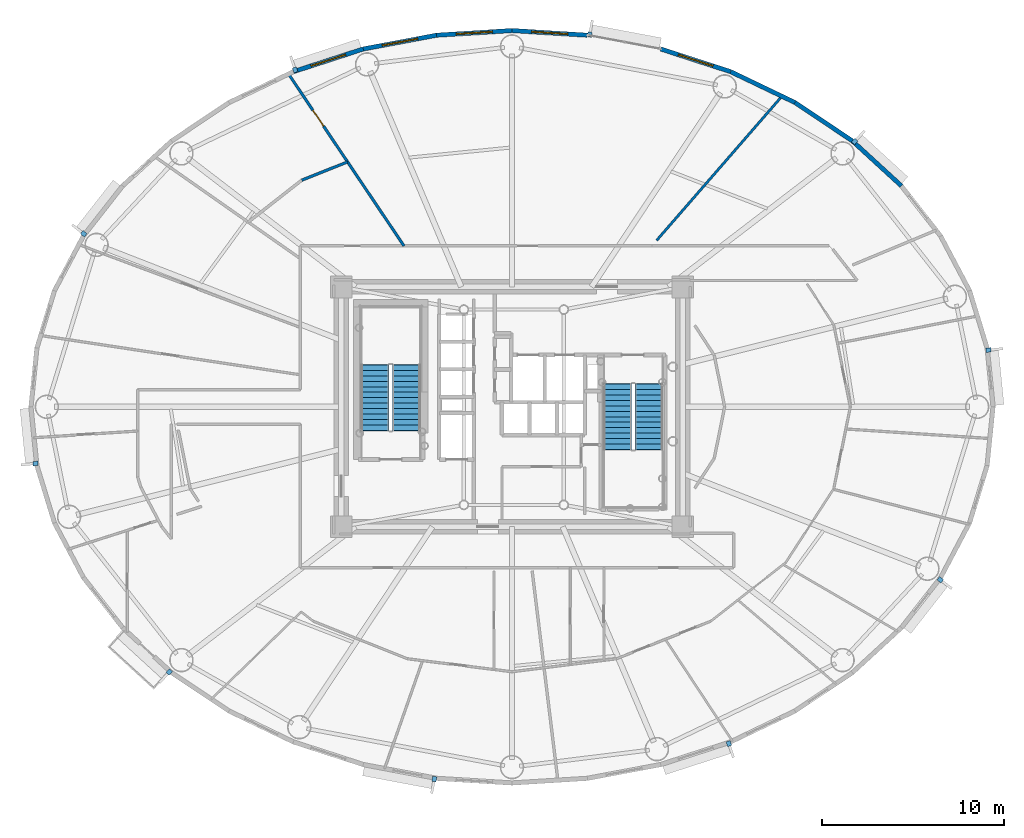
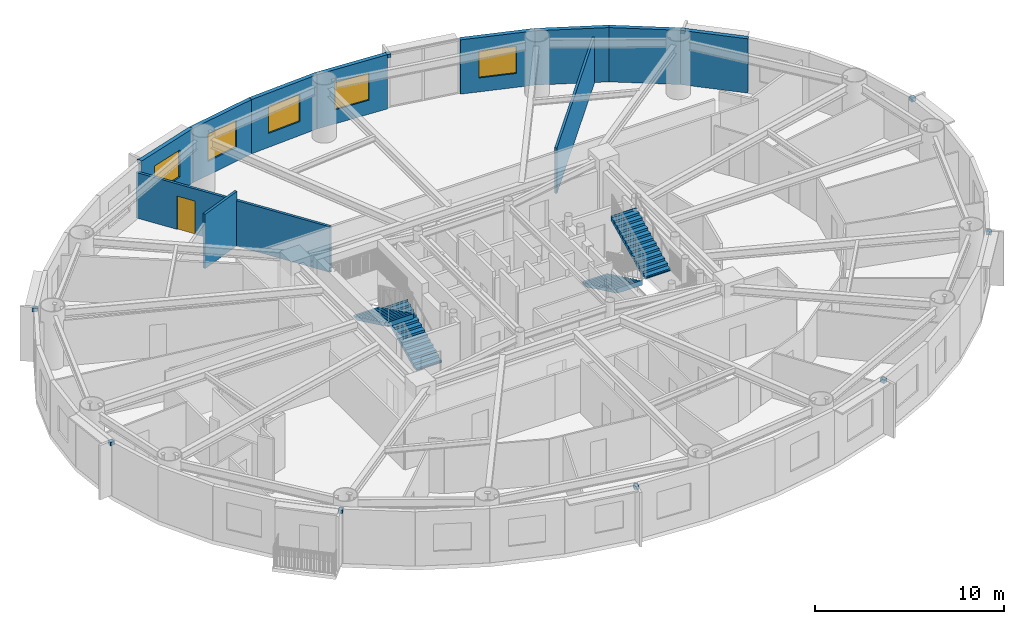
# One storey, part 12 of 18: 11 walls, 10 discrete accessories, 5 windows, 4 stair flights, 1 door, 6 openings, 2 elements without a shape of their own.
"""IFC4 building model written with IfcOpenShell, lengths in metres."""

from ifc_helpers import new_model, si_unit, direction, frame, frame_2d, origin, origin_2d, place, context, subcontext, project, spatial, polyline, rectangle, outline, extrude, source, transform, mapped, material, layer, layer_set, type_object, element, fill, aggregate, save


model = new_model("IFC4")

# Units and contexts
model_context = context("Model", 3, precision=1e-05, world=origin(), true_north=direction((0.0, 1.0)))
body_context = subcontext(model_context, "Body", "Model", "MODEL_VIEW")
ifc_project = project(units=[si_unit("LENGTHUNIT", "METRE"), si_unit("AREAUNIT", "SQUARE_METRE"), si_unit("VOLUMEUNIT", "CUBIC_METRE"), si_unit("PLANEANGLEUNIT", "RADIAN"), si_unit("MASSUNIT", "GRAM", prefix="KILO")], contexts=[model_context])

# Site, building, storey
site_placement = place(None, origin())
site = spatial("IfcSite", under=ifc_project, at=site_placement, CompositionType="ELEMENT")
building_placement = place(site_placement, origin())
building = spatial("IfcBuilding", under=site, at=building_placement, Name="Linh Dai School and Residence Tower", CompositionType="ELEMENT")
storey_placement = place(building_placement, frame((0.0, 0.0, 167.39990234375)))
storey = spatial("IfcBuildingStorey", under=building, at=storey_placement, Name="L40", CompositionType="ELEMENT", Elevation=167.39990234375)

# Walls
ifc_material_1 = material(Name="Precast Concrete B45 (C35/45)", Category="concrete")
ifc_layer_1 = layer(ifc_material_1, 0.239990234375)
ifc_layer_set_1 = layer_set([ifc_layer_1], Name="Precast Concrete B45 (C35/45)")
wall_type_1 = type_object("IfcWallType", Name="EW-TC-240", PredefinedType="SOLIDWALL", material=ifc_layer_set_1)
wall_1_placement = place(storey_placement, frame((54.73193359375, 41.630615234375, 0.0), z_axis=(0.0, 0.0, 1.0), x_axis=(0.737076565834, -0.675809245349, 0.0)))
element("IfcWall", 1, at=wall_1_placement, inside=storey, type_object=wall_type_1, Name="L40 Terracotta Exterior Wall 05", PredefinedType="SOLIDWALL", context=body_context, shape_type="SweptSolid", body=[
    extrude(rectangle(XDim=3.658203125, YDim=0.239990234375, at=frame_2d((1.8291015625, 0.0))), origin(), (0.0, 0.0, 1.0), 3.5),
])
wall_2_placement = place(storey_placement, frame((51.5732421875, 43.7431640625, 0.0), z_axis=(0.0, 0.0, 1.0), x_axis=(0.831228998277, -0.555930168657, 0.0)))
element("IfcWall", 2, at=wall_2_placement, inside=storey, type_object=wall_type_1, Name="L40 Terracotta Exterior Wall 06", PredefinedType="SOLIDWALL", context=body_context, shape_type="SweptSolid", body=[
    extrude(rectangle(XDim=3.800048828125, YDim=0.239990234375, at=frame_2d((1.89990234375, 0.0))), origin(), (0.0, 0.0, 1.0), 3.5),
])
wall_3_placement = place(storey_placement, frame((48.02978515625, 45.443603515625, 0.0), z_axis=(0.0, 0.0, 1.0), x_axis=(0.901564733809, -0.432644231155, 0.0)))
element("IfcWall", 3, at=wall_3_placement, inside=storey, type_object=wall_type_1, Name="L40 Terracotta Exterior Wall 07", PredefinedType="SOLIDWALL", context=body_context, shape_type="SweptSolid", body=[
    extrude(rectangle(XDim=3.930419921875, YDim=0.239990234375, at=frame_2d((1.96533203125, 0.0))), origin(), (0.0, 0.0, 1.0), 3.5),
])

# Wall, opening, window
wall_4_placement = place(storey_placement, frame((44.18896484375, 46.689453125, 0.0), z_axis=(0.0, 0.0, 1.0), x_axis=(0.951209870236, -0.30854462038, 0.0)))
wall_4 = element("IfcWall", 4, at=wall_4_placement, inside=storey, type_object=wall_type_1, Name="L40 Terracotta Exterior Wall 08", PredefinedType="SOLIDWALL", context=body_context, shape_type="SweptSolid", body=[
    extrude(rectangle(XDim=4.037841796875, YDim=0.239990234375, at=frame_2d((2.01904296875, 0.0))), origin(), (0.0, 0.0, 1.0), 3.5),
])
opening_1_placement = place(wall_4_placement, frame((1.018798828125, 0.0, 0.89990234375)))
opening_1 = element("IfcOpeningElement", 5, at=opening_1_placement, cuts=wall_4, Name="Opening W1", PredefinedType="OPENING", context=body_context, shape_type="SweptSolid", body=[
    extrude(rectangle(XDim=2.0, YDim=1.75, at=origin_2d()), frame((1.0, 0.1298828125, 0.875), z_axis=(0.0, -1.0, 0.0), x_axis=(1.0, 0.0, 0.0)), (0.0, 0.0, 1.0), 0.260009765625),
])
ifc_material_2 = material(Name="Double Low-E Insulated Glazing", Category="glass")
window_type = type_object("IfcWindowType", Name="WN-RES-2000x1750", PartitioningType="DOUBLE_PANEL_VERTICAL", PredefinedType="WINDOW", material=ifc_material_2)
shared_shape_1 = source(origin(), body_context, "Body", "SweptSolid", [
    extrude(rectangle(XDim=2.0, YDim=1.75, at=origin_2d()), frame((1.0, 0.030029296875, 0.875), z_axis=(0.0, -1.0, 0.0), x_axis=(1.0, 0.0, 0.0)), (0.0, 0.0, 1.0), 0.06005859375),
])
window_1_placement = place(opening_1_placement, origin())
window_1 = element("IfcWindow", 6, at=window_1_placement, inside=storey, type_object=window_type, Name="L40 Exterior Window 08.1", OverallHeight=1.75, OverallWidth=2.0, PartitioningType="DOUBLE_PANEL_VERTICAL", PredefinedType="WINDOW", context=body_context, shape_type="MappedRepresentation", body=[
    mapped(shared_shape_1, transform((0.0, 0.0, 0.0), x_axis=(1.0, 0.0, 0.0), y_axis=(0.0, 1.0, 0.0), z_axis=(0.0, 0.0, 1.0), scale=1.0)),
])
fill(opening_1, window_1)

wall_5_placement = place(storey_placement, frame((36.0, 47.705078125, 0.0), z_axis=(0.0, 0.0, 1.0), x_axis=(0.998104600619, -0.061540281305, 0.0)))
wall_5 = element("IfcWall", 7, at=wall_5_placement, inside=storey, type_object=wall_type_1, Name="L40 Terracotta Exterior Wall 10", PredefinedType="SOLIDWALL", context=body_context, shape_type="SweptSolid", body=[
    extrude(rectangle(XDim=4.153564453125, YDim=0.239990234375, at=frame_2d((2.07666015625, 0.0))), origin(), (0.0, 0.0, 1.0), 3.5),
])
opening_2_placement = place(wall_5_placement, frame((1.076904296875, 0.0, 0.89990234375)))
opening_2 = element("IfcOpeningElement", 8, at=opening_2_placement, cuts=wall_5, Name="Opening W1", PredefinedType="OPENING", context=body_context, shape_type="SweptSolid", body=[
    extrude(rectangle(XDim=2.0, YDim=1.75, at=origin_2d()), frame((1.0, 0.1298828125, 0.875), z_axis=(0.0, -1.0, 0.0), x_axis=(1.0, 0.0, 0.0)), (0.0, 0.0, 1.0), 0.260009765625),
])
window_2_placement = place(opening_2_placement, origin())
window_2 = element("IfcWindow", 9, at=window_2_placement, inside=storey, type_object=window_type, Name="L40 Exterior Window 10.1", OverallHeight=1.75, OverallWidth=2.0, PartitioningType="DOUBLE_PANEL_VERTICAL", PredefinedType="WINDOW", context=body_context, shape_type="MappedRepresentation", body=[
    mapped(shared_shape_1, transform((0.0, 0.0, 0.0), x_axis=(1.0, 0.0, 0.0), y_axis=(0.0, 1.0, 0.0), z_axis=(0.0, 0.0, 1.0), scale=1.0)),
])
fill(opening_2, window_2)

wall_6_placement = place(storey_placement, frame((31.854248046875, 47.449462890625, 0.0), z_axis=(0.0, 0.0, 1.0), x_axis=(0.998104600619, 0.061540281305, 0.0)))
wall_6 = element("IfcWall", 10, at=wall_6_placement, inside=storey, type_object=wall_type_1, Name="L40 Terracotta Exterior Wall 11", PredefinedType="SOLIDWALL", context=body_context, shape_type="SweptSolid", body=[
    extrude(rectangle(XDim=4.153564453125, YDim=0.239990234375, at=frame_2d((2.07666015625, 0.0))), origin(), (0.0, 0.0, 1.0), 3.5),
])
opening_3_placement = place(wall_6_placement, frame((1.076904296875, 0.0, 0.89990234375)))
opening_3 = element("IfcOpeningElement", 11, at=opening_3_placement, cuts=wall_6, Name="Opening W1", PredefinedType="OPENING", context=body_context, shape_type="SweptSolid", body=[
    extrude(rectangle(XDim=2.0, YDim=1.75, at=origin_2d()), frame((1.0, 0.1298828125, 0.875), z_axis=(0.0, -1.0, 0.0), x_axis=(1.0, 0.0, 0.0)), (0.0, 0.0, 1.0), 0.260009765625),
])
window_3_placement = place(opening_3_placement, origin())
window_3 = element("IfcWindow", 12, at=window_3_placement, inside=storey, type_object=window_type, Name="L40 Exterior Window 11.1", OverallHeight=1.75, OverallWidth=2.0, PartitioningType="DOUBLE_PANEL_VERTICAL", PredefinedType="WINDOW", context=body_context, shape_type="MappedRepresentation", body=[
    mapped(shared_shape_1, transform((0.0, 0.0, 0.0), x_axis=(1.0, 0.0, 0.0), y_axis=(0.0, 1.0, 0.0), z_axis=(0.0, 0.0, 1.0), scale=1.0)),
])
fill(opening_3, window_3)

wall_7_placement = place(storey_placement, frame((27.81103515625, 46.689453125, 0.0), z_axis=(0.0, 0.0, 1.0), x_axis=(0.982788108205, 0.184736391573, 0.0)))
wall_7 = element("IfcWall", 13, at=wall_7_placement, inside=storey, type_object=wall_type_1, Name="L40 Terracotta Exterior Wall 12", PredefinedType="SOLIDWALL", context=body_context, shape_type="SweptSolid", body=[
    extrude(rectangle(XDim=4.114013671875, YDim=0.239990234375, at=frame_2d((2.05712890625, 0.0))), origin(), (0.0, 0.0, 1.0), 3.5),
])
opening_4_placement = place(wall_7_placement, frame((1.05712890625, 0.0, 0.89990234375)))
opening_4 = element("IfcOpeningElement", 14, at=opening_4_placement, cuts=wall_7, Name="Opening W1", PredefinedType="OPENING", context=body_context, shape_type="SweptSolid", body=[
    extrude(rectangle(XDim=2.0, YDim=1.75, at=origin_2d()), frame((1.0, 0.1298828125, 0.875), z_axis=(0.0, -1.0, 0.0), x_axis=(1.0, 0.0, 0.0)), (0.0, 0.0, 1.0), 0.260009765625),
])
window_4_placement = place(opening_4_placement, origin())
window_4 = element("IfcWindow", 15, at=window_4_placement, inside=storey, type_object=window_type, Name="L40 Exterior Window 12.1", OverallHeight=1.75, OverallWidth=2.0, PartitioningType="DOUBLE_PANEL_VERTICAL", PredefinedType="WINDOW", context=body_context, shape_type="MappedRepresentation", body=[
    mapped(shared_shape_1, transform((0.0, 0.0, 0.0), x_axis=(1.0, 0.0, 0.0), y_axis=(0.0, 1.0, 0.0), z_axis=(0.0, 0.0, 1.0), scale=1.0)),
])
fill(opening_4, window_4)

wall_8_placement = place(storey_placement, frame((23.97021484375, 45.443603515625, 0.0), z_axis=(0.0, 0.0, 1.0), x_axis=(0.951209870236, 0.30854462038, 0.0)))
wall_8 = element("IfcWall", 16, at=wall_8_placement, inside=storey, type_object=wall_type_1, Name="L40 Terracotta Exterior Wall 13", PredefinedType="SOLIDWALL", context=body_context, shape_type="SweptSolid", body=[
    extrude(rectangle(XDim=4.037841796875, YDim=0.239990234375, at=frame_2d((2.01904296875, 0.0))), origin(), (0.0, 0.0, 1.0), 3.5),
])
opening_5_placement = place(wall_8_placement, frame((1.01904296875, 0.0, 0.89990234375)))
opening_5 = element("IfcOpeningElement", 17, at=opening_5_placement, cuts=wall_8, Name="Opening W1", PredefinedType="OPENING", context=body_context, shape_type="SweptSolid", body=[
    extrude(rectangle(XDim=2.0, YDim=1.75, at=origin_2d()), frame((1.0, 0.1298828125, 0.875), z_axis=(0.0, -1.0, 0.0), x_axis=(1.0, 0.0, 0.0)), (0.0, 0.0, 1.0), 0.260009765625),
])
window_5_placement = place(opening_5_placement, origin())
window_5 = element("IfcWindow", 18, at=window_5_placement, inside=storey, type_object=window_type, Name="L40 Exterior Window 13.1", OverallHeight=1.75, OverallWidth=2.0, PartitioningType="DOUBLE_PANEL_VERTICAL", PredefinedType="WINDOW", context=body_context, shape_type="MappedRepresentation", body=[
    mapped(shared_shape_1, transform((0.0, 0.0, 0.0), x_axis=(1.0, 0.0, 0.0), y_axis=(0.0, 1.0, 0.0), z_axis=(0.0, 0.0, 1.0), scale=1.0)),
])
fill(opening_5, window_5)

# Wall
ifc_material_3 = material(Name="Autoclaved Aerated Concrete Blockwork", Category="masonry")
ifc_layer_2 = layer(ifc_material_3, 0.135009765625)
ifc_layer_set_2 = layer_set([ifc_layer_2], Name="Autoclaved Aerated Concrete Blockwork")
wall_type_2 = type_object("IfcWallType", Name="IW-CORR-135-EI90", PredefinedType="PARTITIONING", material=ifc_layer_set_2)
wall_9_placement = place(storey_placement, frame((50.85791015625, 44.092041015625, 0.0), z_axis=(0.0, 0.0, 1.0), x_axis=(-0.656061423317, -0.75470749886, 0.0)))
element("IfcWall", 19, at=wall_9_placement, inside=storey, type_object=wall_type_2, Name="L40 Interior Partition Wall 096", PredefinedType="PARTITIONING", context=body_context, shape_type="SweptSolid", body=[
    extrude(rectangle(XDim=10.513427734375, YDim=0.135009765625, at=frame_2d((5.2568359375, 0.0))), origin(), (0.0, 0.0, 1.0), 2.93505859375),
])

# Wall, opening, door
ifc_layer_3 = layer(ifc_material_3, 0.14990234375)
ifc_layer_set_3 = layer_set([ifc_layer_3], Name="Autoclaved Aerated Concrete Blockwork")
wall_type_3 = type_object("IfcWallType", Name="IW-SCH-150-EI60", PredefinedType="PARTITIONING", material=ifc_layer_set_3)
wall_10_placement = place(storey_placement, frame((23.69921875, 45.319091796875, 0.0), z_axis=(0.0, 0.0, 1.0), x_axis=(0.557458426319, -0.830204856, 0.0)))
wall_10 = element("IfcWall", 20, at=wall_10_placement, inside=storey, type_object=wall_type_3, Name="L40 Interior Partition Wall 016", PredefinedType="PARTITIONING", context=body_context, shape_type="SweptSolid", body=[
    extrude(rectangle(XDim=11.405517578125, YDim=0.14990234375, at=frame_2d((5.70263671875, 0.0))), origin(), (0.0, 0.0, 1.0), 2.93505859375),
])
opening_6_placement = place(wall_10_placement, frame((2.41162109375, 0.0, 0.0)))
opening_6 = element("IfcOpeningElement", 21, at=opening_6_placement, cuts=wall_10, Name="Opening D04", PredefinedType="OPENING", context=body_context, shape_type="SweptSolid", body=[
    extrude(rectangle(XDim=1.050048828125, YDim=2.14990234375, at=origin_2d()), frame((0.52490234375, 0.0849609375, 1.074951171875), z_axis=(0.0, -1.0, 0.0), x_axis=(1.0, 0.0, 0.0)), (0.0, 0.0, 1.0), 0.169921875),
])
ifc_material_4 = material(Name="Acoustic Vision-Panel Timber Classroom Door", Category="wood")
door_type = type_object("IfcDoorType", Name="DR-SCH-1050x2150-FD60S", OperationType="NOTDEFINED", PredefinedType="DOOR", material=ifc_material_4)
shared_shape_2 = source(origin(), body_context, "Body", "SweptSolid", [
    extrude(rectangle(XDim=1.050048828125, YDim=2.14990234375, at=origin_2d()), frame((0.52490234375, 0.02490234375, 1.074951171875), z_axis=(0.0, -1.0, 0.0), x_axis=(1.0, 0.0, 0.0)), (0.0, 0.0, 1.0), 0.050048828125),
])
door_placement = place(opening_6_placement, origin())
door = element("IfcDoor", 22, at=door_placement, inside=storey, type_object=door_type, Name="L40 Amenity Tea Salon Door", OperationType="SINGLE_SWING_RIGHT", OverallHeight=2.14990234375, OverallWidth=1.050048828125, PredefinedType="DOOR", context=body_context, shape_type="MappedRepresentation", body=[
    mapped(shared_shape_2, transform((0.0, 0.0, 0.0), x_axis=(1.0, 0.0, 0.0), y_axis=(0.0, 1.0, 0.0), z_axis=(0.0, 0.0, 1.0), scale=1.0)),
])
fill(opening_6, door)

# Wall
wall_11_placement = place(storey_placement, frame((24.429931640625, 39.470458984375, 0.0), z_axis=(0.0, 0.0, 1.0), x_axis=(0.928811262565, 0.370553152103, 0.0)))
element("IfcWall", 23, at=wall_11_placement, inside=storey, type_object=wall_type_3, Name="L40 Interior Partition Wall 022", PredefinedType="PARTITIONING", context=body_context, shape_type="SweptSolid", body=[
    extrude(rectangle(XDim=2.714599609375, YDim=0.14990234375, at=frame_2d((1.357421875, 0.0))), origin(), (0.0, 0.0, 1.0), 3.5),
])

# Stair, stair flights
ifc_material_5 = material(Name="Concrete B45 (C35/45)", Category="concrete")
stair_type = type_object("IfcStairType", Name="ST-DOG-1550-R1442", PredefinedType="HALF_TURN_STAIR", material=ifc_material_5)
stair_1_placement = place(storey_placement, origin())
stair_1 = element("IfcStair", 24, at=stair_1_placement, inside=storey, type_object=stair_type, Name="L40 Core Smokeproof Exit Stair ST1", PredefinedType="HALF_TURN_STAIR")
stair_flight_type = type_object("IfcStairFlightType", Name="STF-STR-1550-R1442", PredefinedType="STRAIGHT", material=ifc_material_5)
shared_shape_3 = source(origin(), body_context, "Body", "SweptSolid", [
    extrude(outline(polyline([(-0.02490234375, 0.0), (-0.02490234375, 0.06005859375), (0.0, 0.06005859375), (0.0, 0.144287109375), (0.300048828125, 0.144287109375), (0.300048828125, 0.28857421875), (0.60009765625, 0.28857421875), (0.60009765625, 0.4326171875), (0.89990234375, 0.4326171875), (0.89990234375, 0.576904296875), (1.199951171875, 0.576904296875), (1.199951171875, 0.72119140625), (1.5, 0.72119140625), (1.5, 0.865478515625), (1.800048828125, 0.865478515625), (1.800048828125, 1.009521484375), (2.10009765625, 1.009521484375), (2.10009765625, 1.15380859375), (2.39990234375, 1.15380859375), (2.39990234375, 1.298095703125), (2.699951171875, 1.298095703125), (2.699951171875, 1.4423828125), (3.0, 1.4423828125), (3.0, 1.58642578125), (3.300048828125, 1.58642578125), (3.300048828125, 1.730712890625), (3.60009765625, 1.730712890625), (3.60009765625, 1.875), (3.625, 1.875), (3.625, 1.564453125), (3.60009765625, 1.564453125), (0.345947265625, 0.0), (-0.02490234375, 0.0)])), frame((0.0, 0.77490234375, 0.0), z_axis=(0.0, -1.0, 0.0), x_axis=(1.0, 0.0, 0.0)), (0.0, 0.0, 1.0), 1.550048828125),
])
stair_flight_1_placement = place(storey_placement, frame((30.205078125, 25.699951171875, 0.0), z_axis=(0.0, 0.0, 1.0), x_axis=(0.0, 1.0, 0.0)))
stair_flight_1 = element("IfcStairFlight", 25, at=stair_flight_1_placement, type_object=stair_flight_type, Name="ST1 flight 1", NumberOfRisers=13, NumberOfTreads=12, PredefinedType="STRAIGHT", RiserHeight=0.144230769, TreadLength=0.3, context=body_context, shape_type="MappedRepresentation", body=[
    mapped(shared_shape_3, transform((0.0, 0.0, 0.0), x_axis=(1.0, 0.0, 0.0), y_axis=(0.0, 1.0, 0.0), z_axis=(0.0, 0.0, 1.0), scale=1.0)),
])
stair_flight_2_placement = place(storey_placement, frame((28.455078125, 29.300048828125, 1.875), z_axis=(0.0, 0.0, 1.0), x_axis=(0.0, -1.0, 0.0)))
stair_flight_2 = element("IfcStairFlight", 26, at=stair_flight_2_placement, type_object=stair_flight_type, Name="ST1 flight 2", NumberOfRisers=13, NumberOfTreads=12, PredefinedType="STRAIGHT", RiserHeight=0.144230769, TreadLength=0.3, context=body_context, shape_type="MappedRepresentation", body=[
    mapped(shared_shape_3, transform((0.0, 0.0, 0.0), x_axis=(1.0, 0.0, 0.0), y_axis=(0.0, 1.0, 0.0), z_axis=(0.0, 0.0, 1.0), scale=1.0)),
])
aggregate(stair_1, [stair_flight_1, stair_flight_2])

stair_2_placement = place(storey_placement, origin())
stair_2 = element("IfcStair", 27, at=stair_2_placement, inside=storey, type_object=stair_type, Name="L40 Core Smokeproof Exit Stair ST2", PredefinedType="HALF_TURN_STAIR")
stair_flight_3_placement = place(storey_placement, frame((41.794921875, 28.25, 0.0), z_axis=(0.0, 0.0, 1.0), x_axis=(0.0, -1.0, 0.0)))
stair_flight_3 = element("IfcStairFlight", 28, at=stair_flight_3_placement, type_object=stair_flight_type, Name="ST2 flight 1", NumberOfRisers=13, NumberOfTreads=12, PredefinedType="STRAIGHT", RiserHeight=0.144230769, TreadLength=0.3, context=body_context, shape_type="MappedRepresentation", body=[
    mapped(shared_shape_3, transform((0.0, 0.0, 0.0), x_axis=(1.0, 0.0, 0.0), y_axis=(0.0, 1.0, 0.0), z_axis=(0.0, 0.0, 1.0), scale=1.0)),
])
stair_flight_4_placement = place(storey_placement, frame((43.544921875, 24.64990234375, 1.875), z_axis=(0.0, 0.0, 1.0), x_axis=(0.0, 1.0, 0.0)))
stair_flight_4 = element("IfcStairFlight", 29, at=stair_flight_4_placement, type_object=stair_flight_type, Name="ST2 flight 2", NumberOfRisers=13, NumberOfTreads=12, PredefinedType="STRAIGHT", RiserHeight=0.144230769, TreadLength=0.3, context=body_context, shape_type="MappedRepresentation", body=[
    mapped(shared_shape_3, transform((0.0, 0.0, 0.0), x_axis=(1.0, 0.0, 0.0), y_axis=(0.0, 1.0, 0.0), z_axis=(0.0, 0.0, 1.0), scale=1.0)),
])
aggregate(stair_2, [stair_flight_3, stair_flight_4])

# Discrete accessories
ifc_material_6 = material(Name="Structural Steel S355JR", Category="steel")
discrete_accessory_type = type_object("IfcDiscreteAccessoryType", Name="ACC-BRK-S355", PredefinedType="BRACKET", material=ifc_material_6)
shared_shape_4 = source(origin(), body_context, "Body", "SweptSolid", [
    extrude(rectangle(XDim=0.280029296875, YDim=0.239990234375, at=origin_2d()), origin(), (0.0, 0.0, 1.0), 0.219970703125),
])
for number, where, z_axis, x_axis, name in (
    (30, (62.2216796875, 30.120361328125, 3.25), (0.0, 0.0, 1.0), (0.994987256586, 0.100001796141, 0.0), "L40 Facade Frame Anchor Bracket 01"),
    (31, (54.861083984375, 41.59375, 3.25), (0.0, 0.0, 1.0), (0.67580001435, 0.737085029426, 0.0), "L40 Facade Frame Anchor Bracket 05"),
    (32, (40.27490234375, 47.486328125, 3.25), (0.0, 0.0, 1.0), (0.184762540184, 0.982783192645, 0.0), "L40 Facade Frame Anchor Bracket 09"),
    (33, (24.06591796875, 45.53759765625, 3.25), (0.0, 0.0, 1.0), (-0.308535707031, 0.951212761419, 0.0), "L40 Facade Frame Anchor Bracket 13"),
    (34, (12.4306640625, 36.52001953125, 3.25), (0.0, 0.0, 1.0), (-0.787522158319, 0.616286337798, 0.0), "L40 Facade Frame Anchor Bracket 17"),
    (35, (9.7783203125, 23.879638671875, 3.25), (0.0, 0.0, 1.0), (-0.994987256586, -0.100001796141, 0.0), "L40 Facade Frame Anchor Bracket 21"),
    (36, (17.138916015625, 12.40625, 3.25), (0.0, 0.0, 1.0), (-0.67580001435, -0.737085029426, 0.0), "L40 Facade Frame Anchor Bracket 25"),
    (37, (31.72509765625, 6.513671875, 3.25), (0.0, 0.0, 1.0), (-0.184762540184, -0.982783192645, 0.0), "L40 Facade Frame Anchor Bracket 29"),
    (38, (47.93408203125, 8.46240234375, 3.25), (0.0, 0.0, 1.0), (0.308535707031, -0.951212761419, 0.0), "L40 Facade Frame Anchor Bracket 33"),
    (39, (59.5693359375, 17.47998046875, 3.25), (0.0, 0.0, 1.0), (0.787522158319, -0.616286337798, 0.0), "L40 Facade Frame Anchor Bracket 37"),
):
    element("IfcDiscreteAccessory", number, at=place(storey_placement, frame(where, z_axis=z_axis, x_axis=x_axis)), inside=storey, type_object=discrete_accessory_type, Name=name, PredefinedType="BRACKET", context=body_context, shape_type="MappedRepresentation", body=[
        mapped(shared_shape_4, transform((0.0, 0.0, 0.0), x_axis=(1.0, 0.0, 0.0), y_axis=(0.0, 1.0, 0.0), z_axis=(0.0, 0.0, 1.0), scale=1.0)),
    ])

save(model, "model.ifc")
